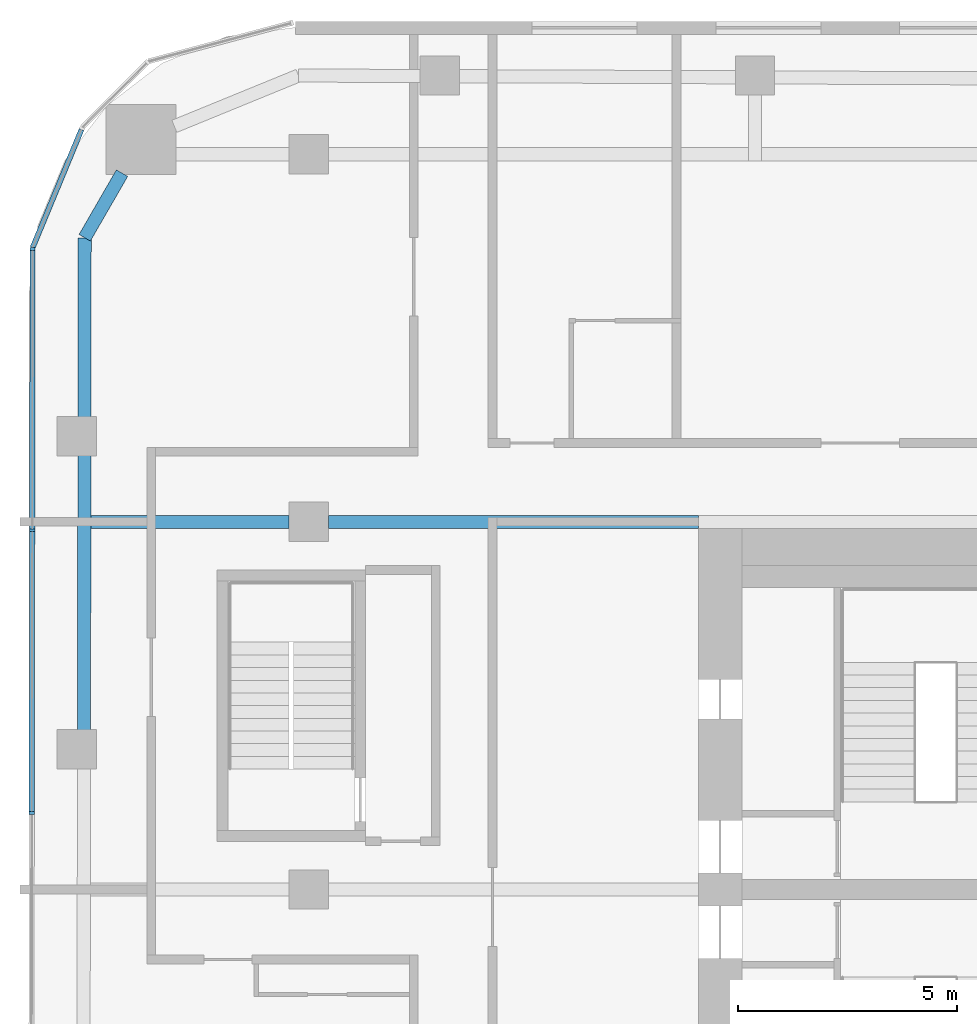
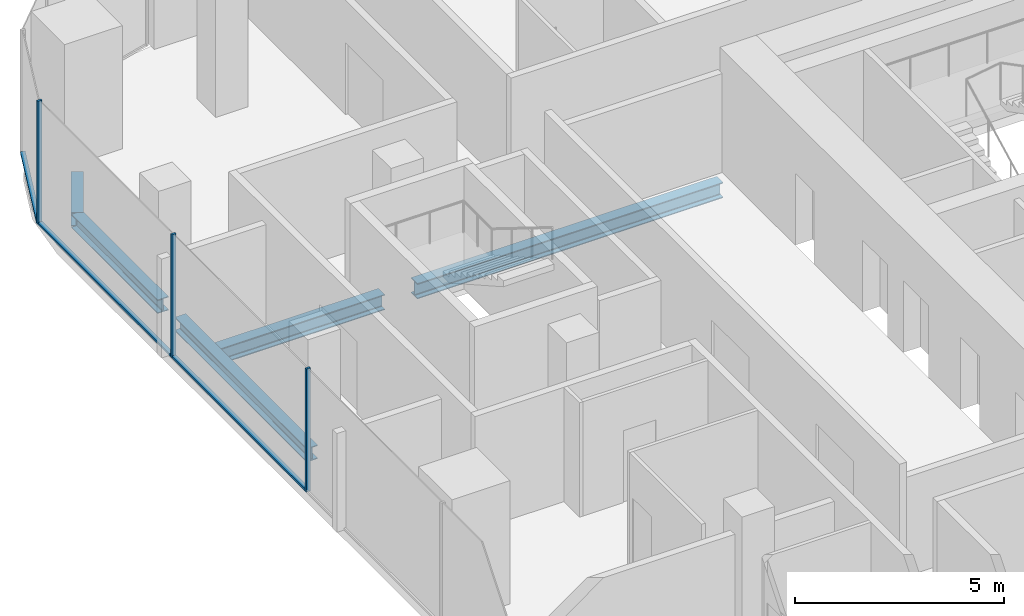
# One storey, part 8 of 23: 6 members, 5 beams, 2 elements without a shape of their own.
"""IFC4 building model written with IfcOpenShell, lengths in metres."""

from ifc_helpers import new_model, si_unit, direction, frame, origin, origin_2d, place, context, subcontext, project, spatial, rectangle, i_section, extrude, material, layer, layer_set, material_profile, profile_set, type_object, element, aggregate, save


model = new_model("IFC4")

# Units and contexts
model_context = context("Model", 3, precision=1e-05, world=origin(), true_north=direction((0.0, 1.0)))
body_context = subcontext(model_context, "Body", "Model", "MODEL_VIEW")
ifc_project = project(units=[si_unit("LENGTHUNIT", "METRE"), si_unit("AREAUNIT", "SQUARE_METRE"), si_unit("VOLUMEUNIT", "CUBIC_METRE"), si_unit("PLANEANGLEUNIT", "RADIAN"), si_unit("MASSUNIT", "GRAM", prefix="KILO")], contexts=[model_context])

# Site, building, storey
site_placement = place(None, origin())
site = spatial("IfcSite", under=ifc_project, at=site_placement, CompositionType="ELEMENT")
building_placement = place(site_placement, origin())
building = spatial("IfcBuilding", under=site, at=building_placement, Name="Marenta Gate Hotel Tower", CompositionType="ELEMENT")
storey_placement = place(building_placement, frame((0.0, 0.0, 155.300048828125)))
storey = spatial("IfcBuildingStorey", under=building, at=storey_placement, Name="L36", CompositionType="ELEMENT", Elevation=155.300048828125)

# Beams
ifc_material_1 = material(Name="Steel S355", Category="steel")
ifc_material_profile_1 = material_profile(ifc_material_1, i_section(OverallWidth=0.300048828125, OverallDepth=0.39990234375, WebThickness=0.013427734375, FlangeThickness=0.02392578125, FilletRadius=0.027099609375, at=origin_2d()), Name="HEB 400")
ifc_profile_set_1 = profile_set([ifc_material_profile_1], Name="Steel S355")
beam_type_1 = type_object("IfcBeamType", Name="Edge beam HEB 400", PredefinedType="SPANDREL", material=ifc_profile_set_1)
beam_1_placement = place(storey_placement, frame((-26.136962890625, 12.01318359375, -0.4599609375), z_axis=(0.001387763206, 0.999999037056, 0.0), x_axis=(-0.999999037056, 0.001387763206, 0.0)))
element("IfcBeam", 1, at=beam_1_placement, inside=storey, type_object=beam_type_1, Name="L36-EB-9", PredefinedType="SPANDREL", context=body_context, shape_type="SweptSolid", body=[
    extrude(i_section(OverallWidth=0.300048828125, OverallDepth=0.39990234375, WebThickness=0.013427734375, FlangeThickness=0.02392578125, FilletRadius=0.027099609375, at=origin_2d()), origin(), (0.0, 0.0, 1.0), 6.333251953125),
])
beam_2_placement = place(storey_placement, frame((-26.126953125, 19.16650390625, -0.4599609375), z_axis=(0.001361187116, 0.999999073584, 0.0), x_axis=(-0.999999073584, 0.001361187116, 0.0)))
element("IfcBeam", 2, at=beam_2_placement, inside=storey, type_object=beam_type_1, Name="L36-EB-10", PredefinedType="SPANDREL", context=body_context, shape_type="SweptSolid", body=[
    extrude(i_section(OverallWidth=0.300048828125, OverallDepth=0.39990234375, WebThickness=0.013427734375, FlangeThickness=0.02392578125, FilletRadius=0.027099609375, at=origin_2d()), origin(), (0.0, 0.0, 1.0), 4.125244140625),
])
beam_3_placement = place(storey_placement, frame((-26.121337890625, 23.291748046875, -0.4599609375), z_axis=(0.500015459501, 0.866016478054, 0.0), x_axis=(-0.866016478054, 0.500015459501, 0.0)))
element("IfcBeam", 3, at=beam_3_placement, inside=storey, type_object=beam_type_1, Name="L36-EB-11", PredefinedType="SPANDREL", context=body_context, shape_type="SweptSolid", body=[
    extrude(i_section(OverallWidth=0.300048828125, OverallDepth=0.39990234375, WebThickness=0.013427734375, FlangeThickness=0.02392578125, FilletRadius=0.027099609375, at=origin_2d()), origin(), (0.0, 0.0, 1.0), 1.70703125),
])
ifc_material_2 = material(Name="Steel S355", Category="steel")
ifc_material_profile_2 = material_profile(ifc_material_2, i_section(OverallWidth=0.300048828125, OverallDepth=0.449951171875, WebThickness=0.013916015625, FlangeThickness=0.02587890625, FilletRadius=0.027099609375, at=origin_2d()), Name="HEB 450")
ifc_profile_set_2 = profile_set([ifc_material_profile_2], Name="Steel S355")
beam_type_2 = type_object("IfcBeamType", Name="Girder HEB 450", PredefinedType="BEAM", material=ifc_profile_set_2)
beam_4_placement = place(storey_placement, frame((-25.980224609375, 16.800048828125, -0.485107421875), z_axis=(1.0, 0.0, 0.0), x_axis=(0.0, 1.0, 0.0)))
element("IfcBeam", 4, at=beam_4_placement, inside=storey, type_object=beam_type_2, Name="L36-GD-24", PredefinedType="BEAM", context=body_context, shape_type="SweptSolid", body=[
    extrude(i_section(OverallWidth=0.300048828125, OverallDepth=0.449951171875, WebThickness=0.013916015625, FlangeThickness=0.02587890625, FilletRadius=0.027099609375, at=origin_2d()), origin(), (0.0, 0.0, 1.0), 4.5302734375),
])
beam_5_placement = place(storey_placement, frame((-20.550048828125, 16.800048828125, -0.485107421875), z_axis=(1.0, 0.0, 0.0), x_axis=(0.0, 1.0, 0.0)))
element("IfcBeam", 5, at=beam_5_placement, inside=storey, type_object=beam_type_2, Name="L36-GD-25", PredefinedType="BEAM", context=body_context, shape_type="SweptSolid", body=[
    extrude(i_section(OverallWidth=0.300048828125, OverallDepth=0.449951171875, WebThickness=0.013916015625, FlangeThickness=0.02587890625, FilletRadius=0.027099609375, at=origin_2d()), origin(), (0.0, 0.0, 1.0), 8.449951171875),
])

# Curtain wall, members
ifc_material_3 = material(Name="Tinted insulated glass in bronze anodised frame", Category="glass")
ifc_layer = layer(ifc_material_3, 0.1201171875)
ifc_layer_set = layer_set([ifc_layer], Name="Tinted insulated glass in bronze anodised frame")
curtain_wall_type = type_object("IfcCurtainWallType", Name="Tower unitised curtain wall CW1", PredefinedType="NOTDEFINED", material=ifc_layer_set)
curtain_wall_1_placement = place(storey_placement, origin())
curtain_wall_1 = element("IfcCurtainWall", 6, at=curtain_wall_1_placement, inside=storey, type_object=curtain_wall_type, Name="CW1 run G03", PredefinedType="NOTDEFINED")
ifc_material_4 = material(Name="Bronze anodised aluminium", Category="aluminium")
ifc_material_profile_3 = material_profile(ifc_material_4, rectangle(XDim=0.1201171875, YDim=0.06005859375, at=origin_2d()), Name="Mullion CW1 60x120 bronze anodised aluminium")
ifc_profile_set_3 = profile_set([ifc_material_profile_3], Name="Bronze anodised aluminium")
member_type_1 = type_object("IfcMemberType", Name="Mullion CW1 60x120 bronze anodised aluminium", PredefinedType="MULLION", material=ifc_profile_set_3)
member_1_placement = place(storey_placement, frame((-27.312255859375, 23.0361328125, 0.0), z_axis=(0.0, 0.0, 1.0), x_axis=(0.99999877375, -0.001566045546, 0.0)))
member_1 = element("IfcMember", 7, at=member_1_placement, type_object=member_type_1, Name="CW1 mullion 1", PredefinedType="MULLION", context=body_context, shape_type="SweptSolid", body=[
    extrude(rectangle(XDim=0.1201171875, YDim=0.06005859375, at=origin_2d()), origin(), (0.0, 0.0, 1.0), 3.599853515625),
])
member_2_placement = place(storey_placement, frame((-27.322509765625, 16.606201171875, 0.0), z_axis=(0.0, 0.0, 1.0), x_axis=(0.99999877375, -0.001566045546, 0.0)))
member_2 = element("IfcMember", 8, at=member_2_placement, type_object=member_type_1, Name="CW1 mullion 2", PredefinedType="MULLION", context=body_context, shape_type="SweptSolid", body=[
    extrude(rectangle(XDim=0.1201171875, YDim=0.06005859375, at=origin_2d()), origin(), (0.0, 0.0, 1.0), 3.599853515625),
])
member_3_placement = place(storey_placement, frame((-27.33251953125, 10.146240234375, 0.0), z_axis=(0.0, 0.0, 1.0), x_axis=(0.99999877375, -0.001566045546, 0.0)))
member_3 = element("IfcMember", 9, at=member_3_placement, type_object=member_type_1, Name="CW1 mullion 3", PredefinedType="MULLION", context=body_context, shape_type="SweptSolid", body=[
    extrude(rectangle(XDim=0.1201171875, YDim=0.06005859375, at=origin_2d()), origin(), (0.0, 0.0, 1.0), 3.599853515625),
])

# Curtain wall, member
curtain_wall_2_placement = place(storey_placement, origin())
curtain_wall_2 = element("IfcCurtainWall", 10, at=curtain_wall_2_placement, inside=storey, type_object=curtain_wall_type, Name="CW1 run G02", PredefinedType="NOTDEFINED")
ifc_material_5 = material(Name="Bronze anodised aluminium", Category="aluminium")
ifc_material_profile_4 = material_profile(ifc_material_5, rectangle(XDim=0.1201171875, YDim=0.06005859375, at=origin_2d()), Name="Transom CW1 60x120 bronze anodised aluminium")
ifc_profile_set_4 = profile_set([ifc_material_profile_4], Name="Bronze anodised aluminium")
member_type_2 = type_object("IfcMemberType", Name="Transom CW1 60x120 bronze anodised aluminium", PredefinedType="USERDEFINED", material=ifc_profile_set_4)
member_4_placement = place(storey_placement, frame((-26.1953125, 25.76318359375, 0.030029296875), z_axis=(-0.382625093284, -0.923903695192, 0.0), x_axis=(0.923903695192, -0.382625093284, 0.0)))
member_4 = element("IfcMember", 11, at=member_4_placement, type_object=member_type_2, Name="CW1 transom 1.1", ObjectType="TRANSOM", PredefinedType="USERDEFINED", context=body_context, shape_type="SweptSolid", body=[
    extrude(rectangle(XDim=0.1201171875, YDim=0.06005859375, at=origin_2d()), origin(), (0.0, 0.0, 1.0), 2.919189453125),
])
aggregate(curtain_wall_2, [member_4])

# Member
member_5_placement = place(storey_placement, frame((-27.3125, 23.006103515625, 0.030029296875), z_axis=(-0.001533093902, -0.999998824811, 0.0), x_axis=(0.999998824811, -0.001533093902, 0.0)))
member_5 = element("IfcMember", 12, at=member_5_placement, type_object=member_type_2, Name="CW1 transom 1.1", ObjectType="TRANSOM", PredefinedType="USERDEFINED", context=body_context, shape_type="SweptSolid", body=[
    extrude(rectangle(XDim=0.1201171875, YDim=0.06005859375, at=origin_2d()), origin(), (0.0, 0.0, 1.0), 6.369873046875),
])

member_6_placement = place(storey_placement, frame((-27.322509765625, 16.576171875, 0.030029296875), z_axis=(-0.001564047831, -0.999998776876, 0.0), x_axis=(0.999998776876, -0.001564047831, 0.0)))
member_6 = element("IfcMember", 13, at=member_6_placement, type_object=member_type_2, Name="CW1 transom 2.1", ObjectType="TRANSOM", PredefinedType="USERDEFINED", context=body_context, shape_type="SweptSolid", body=[
    extrude(rectangle(XDim=0.1201171875, YDim=0.06005859375, at=origin_2d()), origin(), (0.0, 0.0, 1.0), 6.39990234375),
])

aggregate(curtain_wall_1, [member_1, member_2, member_3, member_5, member_6])

save(model, "model.ifc")
